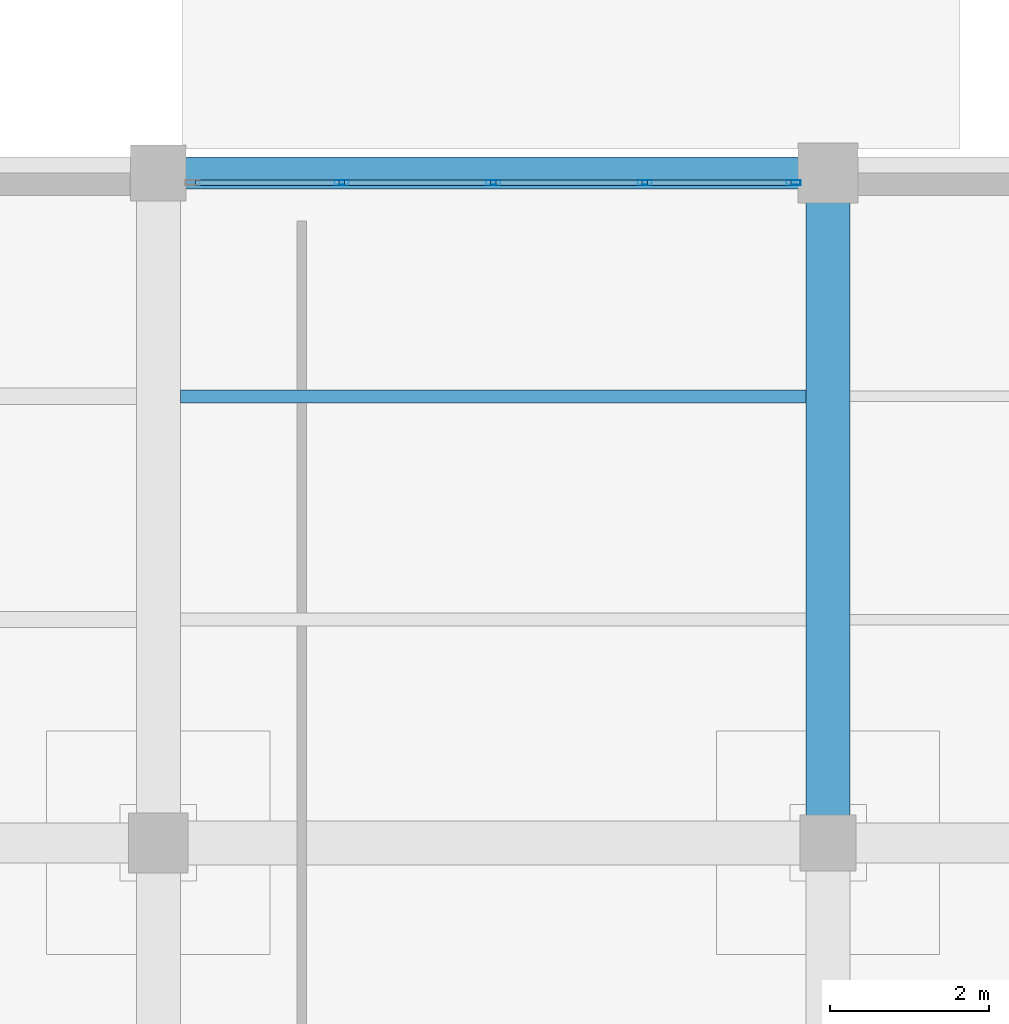
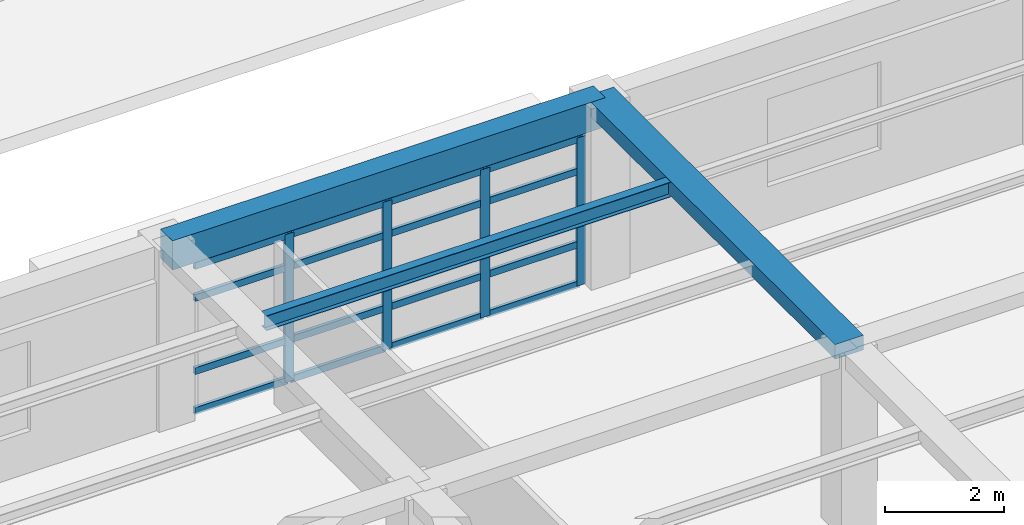
# One storey, part 25 of 35: 20 members, 3 beams, 1 element without a shape of its own.
"""IFC4 building model written with IfcOpenShell, lengths in metres."""

from ifc_helpers import new_model, si_unit, direction, frame, origin, origin_2d, place, context, subcontext, project, spatial, rectangle, hollow_rectangle, i_section, extrude, material, material_profile, profile_set, type_object, element, aggregate, save


model = new_model("IFC4")

# Units and contexts
model_context = context("Model", 3, precision=1e-05, world=origin(), true_north=direction((0.0, 1.0)))
body_context = subcontext(model_context, "Body", "Model", "MODEL_VIEW")
ifc_project = project(units=[si_unit("LENGTHUNIT", "METRE"), si_unit("AREAUNIT", "SQUARE_METRE"), si_unit("VOLUMEUNIT", "CUBIC_METRE"), si_unit("PLANEANGLEUNIT", "RADIAN"), si_unit("MASSUNIT", "GRAM", prefix="KILO")], contexts=[model_context])

# Site, building, storey
site_placement = place(None, origin())
site = spatial("IfcSite", under=ifc_project, at=site_placement, CompositionType="ELEMENT")
building_placement = place(site_placement, origin())
building = spatial("IfcBuilding", under=site, at=building_placement, Name="Almacenes y Pasaje Nevantli", CompositionType="ELEMENT")
storey_placement = place(building_placement, frame((0.0, 0.0, 26.699951171875)))
storey = spatial("IfcBuildingStorey", under=building, at=storey_placement, Name="L06", CompositionType="ELEMENT", Elevation=26.699951171875)

# Beams
ifc_material_1 = material(Name="Concrete C35/45", Category="concrete")
ifc_material_profile_1 = material_profile(ifc_material_1, rectangle(XDim=0.39990234375, YDim=0.60009765625, at=origin_2d()), Name="RC-BM-400x600")
ifc_profile_set_1 = profile_set([ifc_material_profile_1], Name="Concrete C35/45")
beam_type_1 = type_object("IfcBeamType", Name="BM-RC-400x600", PredefinedType="SPANDREL", material=ifc_profile_set_1)
beam_1_placement = place(storey_placement, frame((142.800048828125, 100.800048828125, 3.420166015625), z_axis=(1.0, 0.0, 0.0), x_axis=(0.0, 1.0, 0.0)))
element("IfcBeam", 1, at=beam_1_placement, inside=storey, type_object=beam_type_1, Name="L06 East-West Reinforced Concrete Beam #3601", PredefinedType="SPANDREL", context=body_context, shape_type="SweptSolid", body=[
    extrude(rectangle(XDim=0.39990234375, YDim=0.60009765625, at=origin_2d()), origin(), (0.0, 0.0, 1.0), 8.39990234375),
])
ifc_material_2 = material(Name="Concrete C35/45", Category="concrete")
ifc_material_profile_2 = material_profile(ifc_material_2, rectangle(XDim=0.550048828125, YDim=0.300048828125, at=origin_2d()), Name="RC-BM-550x300")
ifc_profile_set_2 = profile_set([ifc_material_profile_2], Name="Concrete C35/45")
beam_type_2 = type_object("IfcBeamType", Name="BM-RC-550x300", PredefinedType="BEAM", material=ifc_profile_set_2)
beam_2_placement = place(storey_placement, frame((151.199951171875, 92.39990234375, 3.570068359375), z_axis=(0.0, 1.0, 0.0), x_axis=(-1.0, 0.0, 0.0)))
element("IfcBeam", 2, at=beam_2_placement, inside=storey, type_object=beam_type_2, Name="L06 North-South Reinforced Concrete Beam #3624", PredefinedType="BEAM", context=body_context, shape_type="SweptSolid", body=[
    extrude(rectangle(XDim=0.550048828125, YDim=0.300048828125, at=origin_2d()), origin(), (0.0, 0.0, 1.0), 8.400146484375),
])
ifc_material_3 = material(Name="Steel ASTM A992", Category="steel")
ifc_material_profile_3 = material_profile(ifc_material_3, i_section(OverallWidth=0.1650390625, OverallDepth=0.306884765625, WebThickness=0.006591796875, FlangeThickness=0.01025390625, at=origin_2d()), Name="IR 305x44.6")
ifc_profile_set_3 = profile_set([ifc_material_profile_3], Name="Steel ASTM A992")
beam_type_3 = type_object("IfcBeamType", Name="BM-STL-IR-305x44p6", PredefinedType="JOIST", material=ifc_profile_set_3)
beam_3_placement = place(storey_placement, frame((143.074951171875, 98.0, 3.55859375), z_axis=(1.0, 0.0, 0.0), x_axis=(0.0, 1.0, 0.0)))
element("IfcBeam", 3, at=beam_3_placement, inside=storey, type_object=beam_type_3, Name="L06 Secondary Steel Floor Joist #1378", PredefinedType="JOIST", context=body_context, shape_type="SweptSolid", body=[
    extrude(i_section(OverallWidth=0.1650390625, OverallDepth=0.306884765625, WebThickness=0.006591796875, FlangeThickness=0.01025390625, at=origin_2d()), origin(), (0.0, 0.0, 1.0), 7.85009765625),
])

# Curtain wall, members
ifc_material_4 = material(Name="Thermally Broken Aluminium and Low-E Glass", Category="aluminium")
curtain_wall_type = type_object("IfcCurtainWallType", Name="CW-UNIT-TOWER", PredefinedType="USERDEFINED", material=ifc_material_4)
curtain_wall_placement = place(storey_placement, origin())
curtain_wall = element("IfcCurtainWall", 4, at=curtain_wall_placement, inside=storey, type_object=curtain_wall_type, Name="L06 Tower North Boulevard Unitized Curtain Wall Bay 18", ObjectType="UNITIZED CURTAIN WALL", PredefinedType="USERDEFINED")
ifc_material_5 = material(Name="Thermally Broken Anodized Aluminium", Category="aluminium")
ifc_material_profile_4 = material_profile(ifc_material_5, hollow_rectangle(XDim=0.06494140625, YDim=0.179931640625, WallThickness=0.00390625, at=origin_2d()), Name="ALU-MUL-65x180")
ifc_profile_set_4 = profile_set([ifc_material_profile_4], Name="Thermally Broken Anodized Aluminium")
member_type_1 = type_object("IfcMemberType", Name="CW-MUL-200", PredefinedType="MULLION", material=ifc_profile_set_4)
member_1_placement = place(storey_placement, frame((145.10009765625, 100.679931640625, 0.0), z_axis=(0.0, 0.0, 1.0), x_axis=(0.0, 1.0, 0.0)))
member_1 = element("IfcMember", 5, at=member_1_placement, type_object=member_type_1, Name="CW-L06-106 mullion 2", PredefinedType="MULLION", context=body_context, shape_type="SweptSolid", body=[
    extrude(hollow_rectangle(XDim=0.06494140625, YDim=0.179931640625, WallThickness=0.00390625, at=origin_2d()), origin(), (0.0, 0.0, 1.0), 3.0400390625),
])
member_2_placement = place(storey_placement, frame((147.0, 100.679931640625, 0.0), z_axis=(0.0, 0.0, 1.0), x_axis=(0.0, 1.0, 0.0)))
member_2 = element("IfcMember", 6, at=member_2_placement, type_object=member_type_1, Name="CW-L06-106 mullion 3", PredefinedType="MULLION", context=body_context, shape_type="SweptSolid", body=[
    extrude(hollow_rectangle(XDim=0.06494140625, YDim=0.179931640625, WallThickness=0.00390625, at=origin_2d()), origin(), (0.0, 0.0, 1.0), 3.0400390625),
])
member_3_placement = place(storey_placement, frame((148.89990234375, 100.679931640625, 0.0), z_axis=(0.0, 0.0, 1.0), x_axis=(0.0, 1.0, 0.0)))
member_3 = element("IfcMember", 7, at=member_3_placement, type_object=member_type_1, Name="CW-L06-106 mullion 4", PredefinedType="MULLION", context=body_context, shape_type="SweptSolid", body=[
    extrude(hollow_rectangle(XDim=0.06494140625, YDim=0.179931640625, WallThickness=0.00390625, at=origin_2d()), origin(), (0.0, 0.0, 1.0), 3.0400390625),
])
member_4_placement = place(storey_placement, frame((150.767578125, 100.679931640625, 0.0), z_axis=(0.0, 0.0, 1.0), x_axis=(0.0, 1.0, 0.0)))
member_4 = element("IfcMember", 8, at=member_4_placement, type_object=member_type_1, Name="CW-L06-106 mullion 5", PredefinedType="MULLION", context=body_context, shape_type="SweptSolid", body=[
    extrude(hollow_rectangle(XDim=0.06494140625, YDim=0.179931640625, WallThickness=0.00390625, at=origin_2d()), origin(), (0.0, 0.0, 1.0), 3.0400390625),
])
ifc_material_6 = material(Name="Thermally Broken Anodized Aluminium", Category="aluminium")
ifc_material_profile_5 = material_profile(ifc_material_6, hollow_rectangle(XDim=0.06494140625, YDim=0.139892578125, WallThickness=0.00390625, at=origin_2d()), Name="ALU-TRN-65x140")
ifc_profile_set_5 = profile_set([ifc_material_profile_5], Name="Thermally Broken Anodized Aluminium")
member_type_2 = type_object("IfcMemberType", Name="CW-TRN-150", PredefinedType="USERDEFINED", material=ifc_profile_set_5)
member_5_placement = place(storey_placement, frame((143.264892578125, 100.679931640625, 0.032470703125), z_axis=(1.0, 0.0, 0.0), x_axis=(0.0, 1.0, 0.0)))
member_5 = element("IfcMember", 9, at=member_5_placement, type_object=member_type_2, Name="CW-L06-106 transom 1.1", ObjectType="TRANSOM", PredefinedType="USERDEFINED", context=body_context, shape_type="SweptSolid", body=[
    extrude(hollow_rectangle(XDim=0.06494140625, YDim=0.139892578125, WallThickness=0.00390625, at=origin_2d()), origin(), (0.0, 0.0, 1.0), 1.802490234375),
])
member_6_placement = place(storey_placement, frame((143.264892578125, 100.679931640625, 0.85009765625), z_axis=(1.0, 0.0, 0.0), x_axis=(0.0, 1.0, 0.0)))
member_6 = element("IfcMember", 10, at=member_6_placement, type_object=member_type_2, Name="CW-L06-106 transom 1.2", ObjectType="TRANSOM", PredefinedType="USERDEFINED", context=body_context, shape_type="SweptSolid", body=[
    extrude(hollow_rectangle(XDim=0.06494140625, YDim=0.139892578125, WallThickness=0.00390625, at=origin_2d()), origin(), (0.0, 0.0, 1.0), 1.802490234375),
])
member_7_placement = place(storey_placement, frame((143.264892578125, 100.679931640625, 2.35009765625), z_axis=(1.0, 0.0, 0.0), x_axis=(0.0, 1.0, 0.0)))
member_7 = element("IfcMember", 11, at=member_7_placement, type_object=member_type_2, Name="CW-L06-106 transom 1.3", ObjectType="TRANSOM", PredefinedType="USERDEFINED", context=body_context, shape_type="SweptSolid", body=[
    extrude(hollow_rectangle(XDim=0.06494140625, YDim=0.139892578125, WallThickness=0.00390625, at=origin_2d()), origin(), (0.0, 0.0, 1.0), 1.802490234375),
])
member_8_placement = place(storey_placement, frame((143.264892578125, 100.679931640625, 3.007568359375), z_axis=(1.0, 0.0, 0.0), x_axis=(0.0, 1.0, 0.0)))
member_8 = element("IfcMember", 12, at=member_8_placement, type_object=member_type_2, Name="CW-L06-106 transom 1.4", ObjectType="TRANSOM", PredefinedType="USERDEFINED", context=body_context, shape_type="SweptSolid", body=[
    extrude(hollow_rectangle(XDim=0.06494140625, YDim=0.139892578125, WallThickness=0.00390625, at=origin_2d()), origin(), (0.0, 0.0, 1.0), 1.802490234375),
])
member_9_placement = place(storey_placement, frame((145.132568359375, 100.679931640625, 0.032470703125), z_axis=(1.0, 0.0, 0.0), x_axis=(0.0, 1.0, 0.0)))
member_9 = element("IfcMember", 13, at=member_9_placement, type_object=member_type_2, Name="CW-L06-106 transom 2.1", ObjectType="TRANSOM", PredefinedType="USERDEFINED", context=body_context, shape_type="SweptSolid", body=[
    extrude(hollow_rectangle(XDim=0.06494140625, YDim=0.139892578125, WallThickness=0.00390625, at=origin_2d()), origin(), (0.0, 0.0, 1.0), 1.8349609375),
])
member_10_placement = place(storey_placement, frame((145.132568359375, 100.679931640625, 0.85009765625), z_axis=(1.0, 0.0, 0.0), x_axis=(0.0, 1.0, 0.0)))
member_10 = element("IfcMember", 14, at=member_10_placement, type_object=member_type_2, Name="CW-L06-106 transom 2.2", ObjectType="TRANSOM", PredefinedType="USERDEFINED", context=body_context, shape_type="SweptSolid", body=[
    extrude(hollow_rectangle(XDim=0.06494140625, YDim=0.139892578125, WallThickness=0.00390625, at=origin_2d()), origin(), (0.0, 0.0, 1.0), 1.8349609375),
])
member_11_placement = place(storey_placement, frame((145.132568359375, 100.679931640625, 2.35009765625), z_axis=(1.0, 0.0, 0.0), x_axis=(0.0, 1.0, 0.0)))
member_11 = element("IfcMember", 15, at=member_11_placement, type_object=member_type_2, Name="CW-L06-106 transom 2.3", ObjectType="TRANSOM", PredefinedType="USERDEFINED", context=body_context, shape_type="SweptSolid", body=[
    extrude(hollow_rectangle(XDim=0.06494140625, YDim=0.139892578125, WallThickness=0.00390625, at=origin_2d()), origin(), (0.0, 0.0, 1.0), 1.8349609375),
])
member_12_placement = place(storey_placement, frame((145.132568359375, 100.679931640625, 3.007568359375), z_axis=(1.0, 0.0, 0.0), x_axis=(0.0, 1.0, 0.0)))
member_12 = element("IfcMember", 16, at=member_12_placement, type_object=member_type_2, Name="CW-L06-106 transom 2.4", ObjectType="TRANSOM", PredefinedType="USERDEFINED", context=body_context, shape_type="SweptSolid", body=[
    extrude(hollow_rectangle(XDim=0.06494140625, YDim=0.139892578125, WallThickness=0.00390625, at=origin_2d()), origin(), (0.0, 0.0, 1.0), 1.8349609375),
])
member_13_placement = place(storey_placement, frame((147.032470703125, 100.679931640625, 0.032470703125), z_axis=(1.0, 0.0, 0.0), x_axis=(0.0, 1.0, 0.0)))
member_13 = element("IfcMember", 17, at=member_13_placement, type_object=member_type_2, Name="CW-L06-106 transom 3.1", ObjectType="TRANSOM", PredefinedType="USERDEFINED", context=body_context, shape_type="SweptSolid", body=[
    extrude(hollow_rectangle(XDim=0.06494140625, YDim=0.139892578125, WallThickness=0.00390625, at=origin_2d()), origin(), (0.0, 0.0, 1.0), 1.8349609375),
])
member_14_placement = place(storey_placement, frame((147.032470703125, 100.679931640625, 0.85009765625), z_axis=(1.0, 0.0, 0.0), x_axis=(0.0, 1.0, 0.0)))
member_14 = element("IfcMember", 18, at=member_14_placement, type_object=member_type_2, Name="CW-L06-106 transom 3.2", ObjectType="TRANSOM", PredefinedType="USERDEFINED", context=body_context, shape_type="SweptSolid", body=[
    extrude(hollow_rectangle(XDim=0.06494140625, YDim=0.139892578125, WallThickness=0.00390625, at=origin_2d()), origin(), (0.0, 0.0, 1.0), 1.8349609375),
])
member_15_placement = place(storey_placement, frame((147.032470703125, 100.679931640625, 2.35009765625), z_axis=(1.0, 0.0, 0.0), x_axis=(0.0, 1.0, 0.0)))
member_15 = element("IfcMember", 19, at=member_15_placement, type_object=member_type_2, Name="CW-L06-106 transom 3.3", ObjectType="TRANSOM", PredefinedType="USERDEFINED", context=body_context, shape_type="SweptSolid", body=[
    extrude(hollow_rectangle(XDim=0.06494140625, YDim=0.139892578125, WallThickness=0.00390625, at=origin_2d()), origin(), (0.0, 0.0, 1.0), 1.8349609375),
])
member_16_placement = place(storey_placement, frame((147.032470703125, 100.679931640625, 3.007568359375), z_axis=(1.0, 0.0, 0.0), x_axis=(0.0, 1.0, 0.0)))
member_16 = element("IfcMember", 20, at=member_16_placement, type_object=member_type_2, Name="CW-L06-106 transom 3.4", ObjectType="TRANSOM", PredefinedType="USERDEFINED", context=body_context, shape_type="SweptSolid", body=[
    extrude(hollow_rectangle(XDim=0.06494140625, YDim=0.139892578125, WallThickness=0.00390625, at=origin_2d()), origin(), (0.0, 0.0, 1.0), 1.8349609375),
])
member_17_placement = place(storey_placement, frame((148.9326171875, 100.679931640625, 0.032470703125), z_axis=(1.0, 0.0, 0.0), x_axis=(0.0, 1.0, 0.0)))
member_17 = element("IfcMember", 21, at=member_17_placement, type_object=member_type_2, Name="CW-L06-106 transom 4.1", ObjectType="TRANSOM", PredefinedType="USERDEFINED", context=body_context, shape_type="SweptSolid", body=[
    extrude(hollow_rectangle(XDim=0.06494140625, YDim=0.139892578125, WallThickness=0.00390625, at=origin_2d()), origin(), (0.0, 0.0, 1.0), 1.802490234375),
])
member_18_placement = place(storey_placement, frame((148.9326171875, 100.679931640625, 0.85009765625), z_axis=(1.0, 0.0, 0.0), x_axis=(0.0, 1.0, 0.0)))
member_18 = element("IfcMember", 22, at=member_18_placement, type_object=member_type_2, Name="CW-L06-106 transom 4.2", ObjectType="TRANSOM", PredefinedType="USERDEFINED", context=body_context, shape_type="SweptSolid", body=[
    extrude(hollow_rectangle(XDim=0.06494140625, YDim=0.139892578125, WallThickness=0.00390625, at=origin_2d()), origin(), (0.0, 0.0, 1.0), 1.802490234375),
])
member_19_placement = place(storey_placement, frame((148.9326171875, 100.679931640625, 2.35009765625), z_axis=(1.0, 0.0, 0.0), x_axis=(0.0, 1.0, 0.0)))
member_19 = element("IfcMember", 23, at=member_19_placement, type_object=member_type_2, Name="CW-L06-106 transom 4.3", ObjectType="TRANSOM", PredefinedType="USERDEFINED", context=body_context, shape_type="SweptSolid", body=[
    extrude(hollow_rectangle(XDim=0.06494140625, YDim=0.139892578125, WallThickness=0.00390625, at=origin_2d()), origin(), (0.0, 0.0, 1.0), 1.802490234375),
])
member_20_placement = place(storey_placement, frame((148.9326171875, 100.679931640625, 3.007568359375), z_axis=(1.0, 0.0, 0.0), x_axis=(0.0, 1.0, 0.0)))
member_20 = element("IfcMember", 24, at=member_20_placement, type_object=member_type_2, Name="CW-L06-106 transom 4.4", ObjectType="TRANSOM", PredefinedType="USERDEFINED", context=body_context, shape_type="SweptSolid", body=[
    extrude(hollow_rectangle(XDim=0.06494140625, YDim=0.139892578125, WallThickness=0.00390625, at=origin_2d()), origin(), (0.0, 0.0, 1.0), 1.802490234375),
])
aggregate(curtain_wall, [member_1, member_2, member_3, member_4, member_5, member_6, member_7, member_8, member_9, member_10, member_11, member_12, member_13, member_14, member_15, member_16, member_17, member_18, member_19, member_20])

save(model, "model.ifc")
